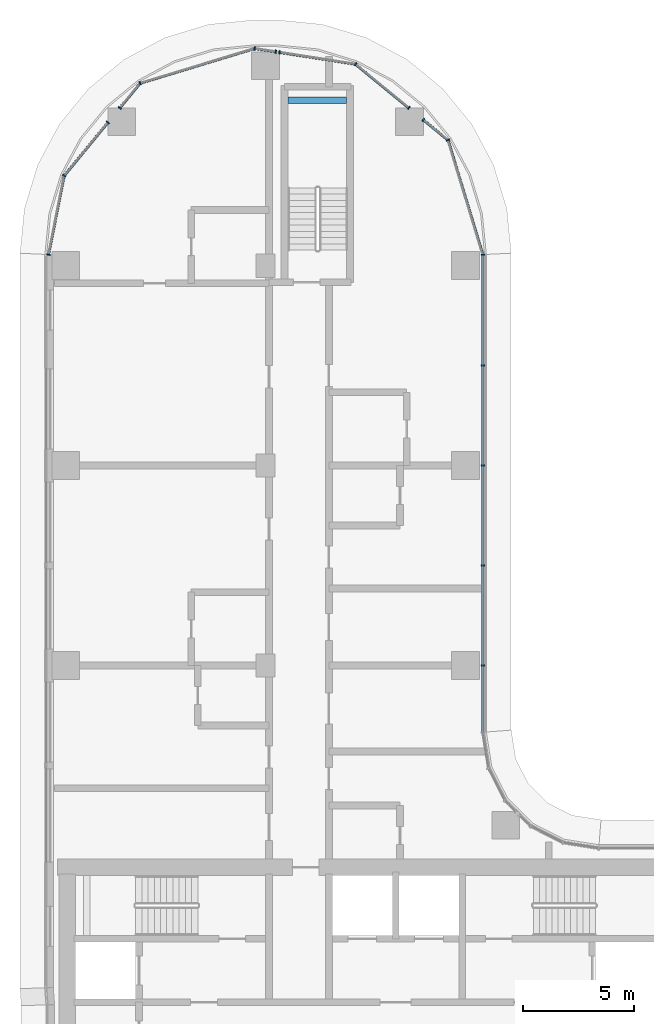
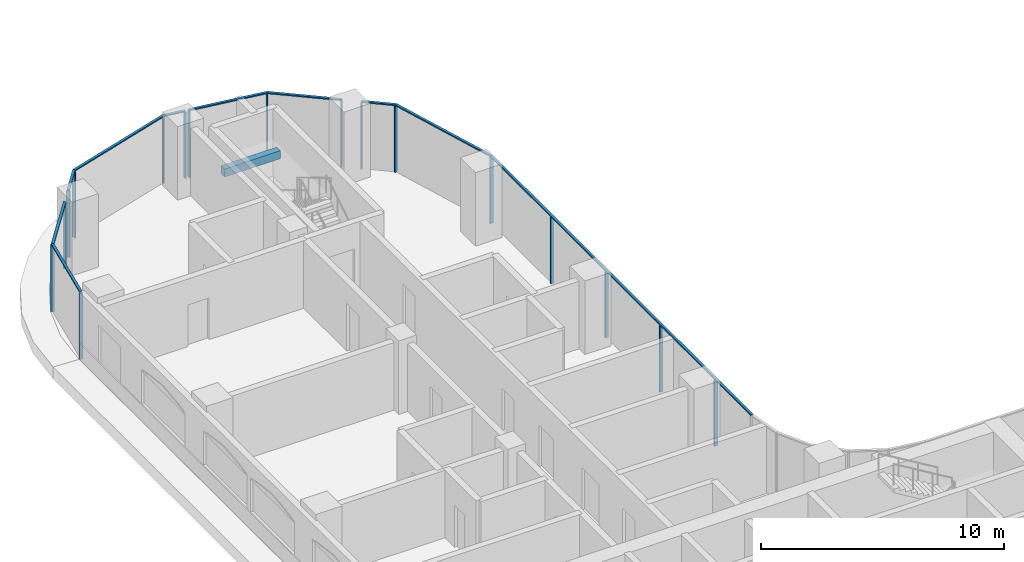
# One storey, part 6 of 40: 27 members, 1 beam, 5 elements without a shape of their own.
"""IFC4 building model written with IfcOpenShell, lengths in metres."""

from ifc_helpers import new_model, si_unit, direction, frame, origin, origin_2d, place, context, subcontext, project, spatial, rectangle, extrude, material, material_profile, profile_set, type_object, element, aggregate, save


model = new_model("IFC4")

# Units and contexts
model_context = context("Model", 3, precision=1e-05, world=origin(), true_north=direction((0.0, 1.0)))
body_context = subcontext(model_context, "Body", "Model", "MODEL_VIEW")
ifc_project = project(units=[si_unit("LENGTHUNIT", "METRE"), si_unit("AREAUNIT", "SQUARE_METRE"), si_unit("VOLUMEUNIT", "CUBIC_METRE"), si_unit("PLANEANGLEUNIT", "RADIAN"), si_unit("MASSUNIT", "GRAM", prefix="KILO")], contexts=[model_context])

# Site, building, storey
site_placement = place(None, origin())
site = spatial("IfcSite", under=ifc_project, at=site_placement, CompositionType="ELEMENT")
building_placement = place(site_placement, origin())
building = spatial("IfcBuilding", under=site, at=building_placement, Name="Ogive Portal Towers", CompositionType="ELEMENT")
storey_placement = place(building_placement, frame((0.0, 0.0, 87.10009765625)))
storey = spatial("IfcBuildingStorey", under=building, at=storey_placement, Name="L20", CompositionType="ELEMENT", Elevation=87.10009765625)

# Beam
ifc_material_1 = material(Name="Concrete C40/50", Category="concrete")
ifc_material_profile_1 = material_profile(ifc_material_1, rectangle(XDim=0.300048828125, YDim=0.39990234375, at=origin_2d()), Name="RC 300x400")
ifc_profile_set_1 = profile_set([ifc_material_profile_1], Name="Concrete C40/50")
beam_type = type_object("IfcBeamType", Name="BEAM RC 300x400", PredefinedType="BEAM", material=ifc_profile_set_1)
beam_placement = place(storey_placement, frame((41.5, 73.949951171875, 1.449951171875), z_axis=(1.0, 0.0, 0.0), x_axis=(0.0, 1.0, 0.0)))
element("IfcBeam", 1, at=beam_placement, inside=storey, type_object=beam_type, Name="Landing beam L20", PredefinedType="BEAM", context=body_context, shape_type="SweptSolid", body=[
    extrude(rectangle(XDim=0.300048828125, YDim=0.39990234375, at=origin_2d()), origin(), (0.0, 0.0, 1.0), 2.64990234375),
])

# Curtain wall, members
ifc_material_2 = material(Name="Glass, clear low-iron insulated glazing", Category="glass")
curtain_wall_type = type_object("IfcCurtainWallType", Name="CW FRONT RIBBON 4500", PredefinedType="NOTDEFINED", material=ifc_material_2)
curtain_wall_1_placement = place(storey_placement, origin())
curtain_wall_1 = element("IfcCurtainWall", 2, at=curtain_wall_1_placement, inside=storey, type_object=curtain_wall_type, Name="A:L20:f17:cw0", PredefinedType="NOTDEFINED")
ifc_material_3 = material(Name="Aluminium 6063 anodised", Category="aluminium")
ifc_material_profile_2 = material_profile(ifc_material_3, rectangle(XDim=0.159912109375, YDim=0.06005859375, at=origin_2d()), Name="AL 60x160")
ifc_profile_set_2 = profile_set([ifc_material_profile_2], Name="Aluminium 6063 anodised")
member_type_1 = type_object("IfcMemberType", Name="CW MULLION 60x160", PredefinedType="MULLION", material=ifc_profile_set_2)
member_1_placement = place(storey_placement, frame((50.27490234375, 48.5, 0.0), z_axis=(0.0, 0.0, 1.0), x_axis=(-1.0, 0.0, 0.0)))
member_1 = element("IfcMember", 3, at=member_1_placement, type_object=member_type_1, Name="mullion", PredefinedType="MULLION", context=body_context, shape_type="SweptSolid", body=[
    extrude(rectangle(XDim=0.159912109375, YDim=0.06005859375, at=origin_2d()), origin(), (0.0, 0.0, 1.0), 3.33984375),
])
member_2_placement = place(storey_placement, frame((50.27490234375, 53.0, 0.0), z_axis=(0.0, 0.0, 1.0), x_axis=(-1.0, 0.0, 0.0)))
member_2 = element("IfcMember", 4, at=member_2_placement, type_object=member_type_1, Name="mullion", PredefinedType="MULLION", context=body_context, shape_type="SweptSolid", body=[
    extrude(rectangle(XDim=0.159912109375, YDim=0.06005859375, at=origin_2d()), origin(), (0.0, 0.0, 1.0), 3.33984375),
])
member_3_placement = place(storey_placement, frame((50.27490234375, 57.5, 0.0), z_axis=(0.0, 0.0, 1.0), x_axis=(-1.0, 0.0, 0.0)))
member_3 = element("IfcMember", 5, at=member_3_placement, type_object=member_type_1, Name="mullion", PredefinedType="MULLION", context=body_context, shape_type="SweptSolid", body=[
    extrude(rectangle(XDim=0.159912109375, YDim=0.06005859375, at=origin_2d()), origin(), (0.0, 0.0, 1.0), 3.33984375),
])
member_4_placement = place(storey_placement, frame((50.27490234375, 62.0, 0.0), z_axis=(0.0, 0.0, 1.0), x_axis=(-1.0, 0.0, 0.0)))
member_4 = element("IfcMember", 6, at=member_4_placement, type_object=member_type_1, Name="mullion", PredefinedType="MULLION", context=body_context, shape_type="SweptSolid", body=[
    extrude(rectangle(XDim=0.159912109375, YDim=0.06005859375, at=origin_2d()), origin(), (0.0, 0.0, 1.0), 3.33984375),
])
member_5_placement = place(storey_placement, frame((50.27490234375, 66.988037109375, 0.0), z_axis=(0.0, 0.0, 1.0), x_axis=(-1.0, 0.0, 0.0)))
member_5 = element("IfcMember", 7, at=member_5_placement, type_object=member_type_1, Name="mullion", PredefinedType="MULLION", context=body_context, shape_type="SweptSolid", body=[
    extrude(rectangle(XDim=0.159912109375, YDim=0.06005859375, at=origin_2d()), origin(), (0.0, 0.0, 1.0), 3.33984375),
])

curtain_wall_2_placement = place(storey_placement, origin())
curtain_wall_2 = element("IfcCurtainWall", 8, at=curtain_wall_2_placement, inside=storey, type_object=curtain_wall_type, Name="A:L20:f18:cwa~0", PredefinedType="NOTDEFINED")
member_6_placement = place(storey_placement, frame((48.708984375, 72.15087890625, 0.0), z_axis=(0.0, 0.0, 1.0), x_axis=(-0.956940335732, -0.290284677254, 0.0)))
member_6 = element("IfcMember", 9, at=member_6_placement, type_object=member_type_1, Name="mullion", PredefinedType="MULLION", context=body_context, shape_type="SweptSolid", body=[
    extrude(rectangle(XDim=0.159912109375, YDim=0.06005859375, at=origin_2d()), origin(), (0.0, 0.0, 1.0), 3.33984375),
])
member_7_placement = place(storey_placement, frame((47.597900390625, 73.0625, 0.0), z_axis=(0.0, 0.0, 1.0), x_axis=(-0.634393284164, -0.773010453363, 0.0)))
member_7 = element("IfcMember", 10, at=member_7_placement, type_object=member_type_1, Name="mullion", PredefinedType="MULLION", context=body_context, shape_type="SweptSolid", body=[
    extrude(rectangle(XDim=0.159912109375, YDim=0.06005859375, at=origin_2d()), origin(), (0.0, 0.0, 1.0), 3.33984375),
])

curtain_wall_3_placement = place(storey_placement, origin())
curtain_wall_3 = element("IfcCurtainWall", 11, at=curtain_wall_3_placement, inside=storey, type_object=curtain_wall_type, Name="A:L20:f18:cwa~1", PredefinedType="NOTDEFINED")
member_8_placement = place(storey_placement, frame((46.945556640625, 73.597900390625, 0.0), z_axis=(0.0, 0.0, 1.0), x_axis=(-0.634393284164, -0.773010453363, 0.0)))
member_8 = element("IfcMember", 12, at=member_8_placement, type_object=member_type_1, Name="mullion", PredefinedType="MULLION", context=body_context, shape_type="SweptSolid", body=[
    extrude(rectangle(XDim=0.159912109375, YDim=0.06005859375, at=origin_2d()), origin(), (0.0, 0.0, 1.0), 3.33984375),
])
member_9_placement = place(storey_placement, frame((44.546142578125, 75.567138671875, 0.0), z_axis=(0.0, 0.0, 1.0), x_axis=(-0.634393284164, -0.773010453363, 0.0)))
member_9 = element("IfcMember", 13, at=member_9_placement, type_object=member_type_1, Name="mullion", PredefinedType="MULLION", context=body_context, shape_type="SweptSolid", body=[
    extrude(rectangle(XDim=0.159912109375, YDim=0.06005859375, at=origin_2d()), origin(), (0.0, 0.0, 1.0), 3.33984375),
])
member_10_placement = place(storey_placement, frame((41.125, 76.09912109375, 0.0), z_axis=(0.0, 0.0, 1.0), x_axis=(-0.153635802256, -0.988127542509, 0.0)))
member_10 = element("IfcMember", 14, at=member_10_placement, type_object=member_type_1, Name="mullion", PredefinedType="MULLION", context=body_context, shape_type="SweptSolid", body=[
    extrude(rectangle(XDim=0.159912109375, YDim=0.06005859375, at=origin_2d()), origin(), (0.0, 0.0, 1.0), 3.33984375),
])

curtain_wall_4_placement = place(storey_placement, origin())
curtain_wall_4 = element("IfcCurtainWall", 15, at=curtain_wall_4_placement, inside=storey, type_object=curtain_wall_type, Name="A:L20:f18:cwa~2", PredefinedType="NOTDEFINED")
member_11_placement = place(storey_placement, frame((40.95849609375, 76.125, 0.0), z_axis=(0.0, 0.0, 1.0), x_axis=(-0.153635802256, -0.988127542509, 0.0)))
member_11 = element("IfcMember", 16, at=member_11_placement, type_object=member_type_1, Name="mullion", PredefinedType="MULLION", context=body_context, shape_type="SweptSolid", body=[
    extrude(rectangle(XDim=0.159912109375, YDim=0.06005859375, at=origin_2d()), origin(), (0.0, 0.0, 1.0), 3.33984375),
])
member_12_placement = place(storey_placement, frame((40.005859375, 76.273193359375, 0.0), z_axis=(0.0, 0.0, 1.0), x_axis=(-0.153635802256, -0.988127542509, 0.0)))
member_12 = element("IfcMember", 17, at=member_12_placement, type_object=member_type_1, Name="mullion", PredefinedType="MULLION", context=body_context, shape_type="SweptSolid", body=[
    extrude(rectangle(XDim=0.159912109375, YDim=0.06005859375, at=origin_2d()), origin(), (0.0, 0.0, 1.0), 3.33984375),
])
member_13_placement = place(storey_placement, frame((34.84912109375, 74.708984375, 0.0), z_axis=(0.0, 0.0, 1.0), x_axis=(0.290284677254, -0.956940335732, 0.0)))
member_13 = element("IfcMember", 18, at=member_13_placement, type_object=member_type_1, Name="mullion", PredefinedType="MULLION", context=body_context, shape_type="SweptSolid", body=[
    extrude(rectangle(XDim=0.159912109375, YDim=0.06005859375, at=origin_2d()), origin(), (0.0, 0.0, 1.0), 3.33984375),
])
member_14_placement = place(storey_placement, frame((33.9375, 73.597900390625, 0.0), z_axis=(0.0, 0.0, 1.0), x_axis=(0.773010453363, -0.634393284164, 0.0)))
member_14 = element("IfcMember", 19, at=member_14_placement, type_object=member_type_1, Name="mullion", PredefinedType="MULLION", context=body_context, shape_type="SweptSolid", body=[
    extrude(rectangle(XDim=0.159912109375, YDim=0.06005859375, at=origin_2d()), origin(), (0.0, 0.0, 1.0), 3.33984375),
])

curtain_wall_5_placement = place(storey_placement, origin())
curtain_wall_5 = element("IfcCurtainWall", 20, at=curtain_wall_5_placement, inside=storey, type_object=curtain_wall_type, Name="A:L20:f18:cwa~3", PredefinedType="NOTDEFINED")
member_15_placement = place(storey_placement, frame((33.402099609375, 72.945556640625, 0.0), z_axis=(0.0, 0.0, 1.0), x_axis=(0.773010453363, -0.634393284164, 0.0)))
member_15 = element("IfcMember", 21, at=member_15_placement, type_object=member_type_1, Name="mullion", PredefinedType="MULLION", context=body_context, shape_type="SweptSolid", body=[
    extrude(rectangle(XDim=0.159912109375, YDim=0.06005859375, at=origin_2d()), origin(), (0.0, 0.0, 1.0), 3.33984375),
])
member_16_placement = place(storey_placement, frame((31.431640625, 70.544677734375, 0.0), z_axis=(0.0, 0.0, 1.0), x_axis=(0.773010453363, -0.634393284164, 0.0)))
member_16 = element("IfcMember", 22, at=member_16_placement, type_object=member_type_1, Name="mullion", PredefinedType="MULLION", context=body_context, shape_type="SweptSolid", body=[
    extrude(rectangle(XDim=0.159912109375, YDim=0.06005859375, at=origin_2d()), origin(), (0.0, 0.0, 1.0), 3.33984375),
])
member_17_placement = place(storey_placement, frame((30.72509765625, 66.9921875, 0.0), z_axis=(0.0, 0.0, 1.0), x_axis=(0.980785280403, -0.195090322016, 0.0)))
member_17 = element("IfcMember", 23, at=member_17_placement, type_object=member_type_1, Name="mullion", PredefinedType="MULLION", context=body_context, shape_type="SweptSolid", body=[
    extrude(rectangle(XDim=0.159912109375, YDim=0.06005859375, at=origin_2d()), origin(), (0.0, 0.0, 1.0), 3.33984375),
])

# Member
ifc_material_profile_3 = material_profile(ifc_material_3, rectangle(XDim=0.1201171875, YDim=0.06005859375, at=origin_2d()), Name="AL 120x60")
ifc_profile_set_3 = profile_set([ifc_material_profile_3], Name="Aluminium 6063 anodised")
member_type_2 = type_object("IfcMemberType", Name="CW TRANSOM 60x120", PredefinedType="USERDEFINED", material=ifc_profile_set_3)
member_18_placement = place(storey_placement, frame((50.27490234375, 45.49365234375, 3.369873046875), z_axis=(0.0, 1.0, 0.0), x_axis=(-1.0, 0.0, 0.0)))
member_18 = element("IfcMember", 24, at=member_18_placement, type_object=member_type_2, Name="transom", ObjectType="TRANSOM", PredefinedType="USERDEFINED", context=body_context, shape_type="SweptSolid", body=[
    extrude(rectangle(XDim=0.1201171875, YDim=0.06005859375, at=origin_2d()), origin(), (0.0, 0.0, 1.0), 21.494384765625),
])

aggregate(curtain_wall_1, [member_18, member_1, member_2, member_3, member_4, member_5])

member_19_placement = place(storey_placement, frame((50.27490234375, 66.988037109375, 3.369873046875), z_axis=(-0.290248528925, 0.956951300463, 0.0), x_axis=(-0.956951300463, -0.290248528925, 0.0)))
member_19 = element("IfcMember", 25, at=member_19_placement, type_object=member_type_2, Name="transom", ObjectType="TRANSOM", PredefinedType="USERDEFINED", context=body_context, shape_type="SweptSolid", body=[
    extrude(rectangle(XDim=0.1201171875, YDim=0.06005859375, at=origin_2d()), origin(), (0.0, 0.0, 1.0), 5.39501953125),
])

member_20_placement = place(storey_placement, frame((48.708984375, 72.15087890625, 3.369873046875), z_axis=(-0.773086185794, 0.634300992695, 0.0), x_axis=(-0.634300992695, -0.773086185794, 0.0)))
member_20 = element("IfcMember", 26, at=member_20_placement, type_object=member_type_2, Name="transom", ObjectType="TRANSOM", PredefinedType="USERDEFINED", context=body_context, shape_type="SweptSolid", body=[
    extrude(rectangle(XDim=0.1201171875, YDim=0.06005859375, at=origin_2d()), origin(), (0.0, 0.0, 1.0), 1.437255859375),
])

aggregate(curtain_wall_2, [member_19, member_20, member_6, member_7])

member_21_placement = place(storey_placement, frame((46.945556640625, 73.597900390625, 3.369873046875), z_axis=(-0.772996226652, 0.634410619065, 0.0), x_axis=(-0.634410619065, -0.772996226652, 0.0)))
member_21 = element("IfcMember", 27, at=member_21_placement, type_object=member_type_2, Name="transom", ObjectType="TRANSOM", PredefinedType="USERDEFINED", context=body_context, shape_type="SweptSolid", body=[
    extrude(rectangle(XDim=0.1201171875, YDim=0.06005859375, at=origin_2d()), origin(), (0.0, 0.0, 1.0), 3.10400390625),
])

member_22_placement = place(storey_placement, frame((44.546142578125, 75.567138671875, 3.369873046875), z_axis=(-0.988125035284, 0.153651926917, 0.0), x_axis=(-0.153651926917, -0.988125035284, 0.0)))
member_22 = element("IfcMember", 28, at=member_22_placement, type_object=member_type_2, Name="transom", ObjectType="TRANSOM", PredefinedType="USERDEFINED", context=body_context, shape_type="SweptSolid", body=[
    extrude(rectangle(XDim=0.1201171875, YDim=0.06005859375, at=origin_2d()), origin(), (0.0, 0.0, 1.0), 3.462158203125),
])

aggregate(curtain_wall_3, [member_21, member_22, member_8, member_9, member_10])

member_23_placement = place(storey_placement, frame((40.95849609375, 76.125, 3.369873046875), z_axis=(-0.988115614247, 0.15371250073, 0.0), x_axis=(-0.15371250073, -0.988115614247, 0.0)))
member_23 = element("IfcMember", 29, at=member_23_placement, type_object=member_type_2, Name="transom", ObjectType="TRANSOM", PredefinedType="USERDEFINED", context=body_context, shape_type="SweptSolid", body=[
    extrude(rectangle(XDim=0.1201171875, YDim=0.06005859375, at=origin_2d()), origin(), (0.0, 0.0, 1.0), 0.964111328125),
])

member_24_placement = place(storey_placement, frame((40.005859375, 76.273193359375, 3.369873046875), z_axis=(-0.956943968392, -0.290272701709, 0.0), x_axis=(0.290272701709, -0.956943968392, 0.0)))
member_24 = element("IfcMember", 30, at=member_24_placement, type_object=member_type_2, Name="transom", ObjectType="TRANSOM", PredefinedType="USERDEFINED", context=body_context, shape_type="SweptSolid", body=[
    extrude(rectangle(XDim=0.1201171875, YDim=0.06005859375, at=origin_2d()), origin(), (0.0, 0.0, 1.0), 5.388671875),
])

member_25_placement = place(storey_placement, frame((34.84912109375, 74.708984375, 3.369873046875), z_axis=(-0.634300992695, -0.773086185794, 0.0), x_axis=(0.773086185794, -0.634300992695, 0.0)))
member_25 = element("IfcMember", 31, at=member_25_placement, type_object=member_type_2, Name="transom", ObjectType="TRANSOM", PredefinedType="USERDEFINED", context=body_context, shape_type="SweptSolid", body=[
    extrude(rectangle(XDim=0.1201171875, YDim=0.06005859375, at=origin_2d()), origin(), (0.0, 0.0, 1.0), 1.437255859375),
])

aggregate(curtain_wall_4, [member_23, member_24, member_25, member_11, member_12, member_13, member_14])

member_26_placement = place(storey_placement, frame((33.402099609375, 72.945556640625, 3.369873046875), z_axis=(-0.634414174619, -0.772993308537, 0.0), x_axis=(0.772993308537, -0.634414174619, 0.0)))
member_26 = element("IfcMember", 32, at=member_26_placement, type_object=member_type_2, Name="transom", ObjectType="TRANSOM", PredefinedType="USERDEFINED", context=body_context, shape_type="SweptSolid", body=[
    extrude(rectangle(XDim=0.1201171875, YDim=0.06005859375, at=origin_2d()), origin(), (0.0, 0.0, 1.0), 3.10595703125),
])

member_27_placement = place(storey_placement, frame((31.431640625, 70.544677734375, 3.369873046875), z_axis=(-0.195066081684, -0.980790101794, 0.0), x_axis=(0.980790101794, -0.195066081684, 0.0)))
member_27 = element("IfcMember", 33, at=member_27_placement, type_object=member_type_2, Name="transom", ObjectType="TRANSOM", PredefinedType="USERDEFINED", context=body_context, shape_type="SweptSolid", body=[
    extrude(rectangle(XDim=0.1201171875, YDim=0.06005859375, at=origin_2d()), origin(), (0.0, 0.0, 1.0), 3.6220703125),
])

aggregate(curtain_wall_5, [member_26, member_27, member_15, member_16, member_17])

save(model, "model.ifc")
